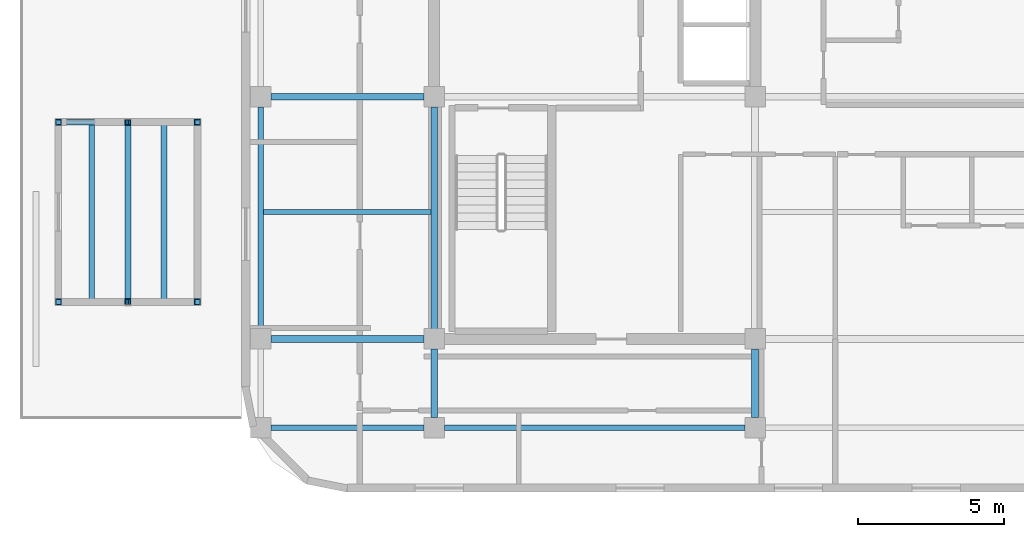
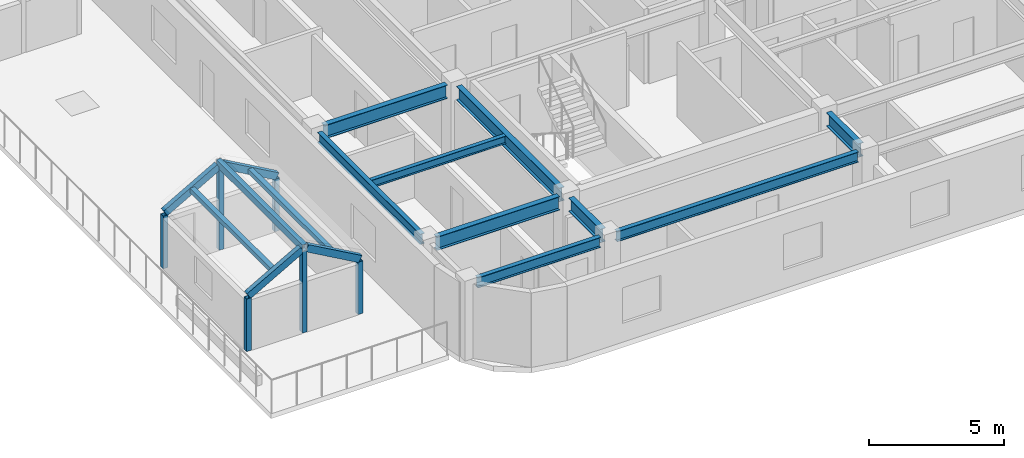
# One storey, part 2 of 16: 13 members, 9 beams.
"""IFC4 building model written with IfcOpenShell, lengths in metres."""

from ifc_helpers import new_model, si_unit, direction, frame, origin, origin_2d, place, context, subcontext, project, spatial, hollow_rectangle, i_section, extrude, material, material_profile, profile_set, type_object, element, save


model = new_model("IFC4")

# Units and contexts
model_context = context("Model", 3, precision=1e-05, world=origin(), true_north=direction((0.0, 1.0)))
body_context = subcontext(model_context, "Body", "Model", "MODEL_VIEW")
ifc_project = project(units=[si_unit("LENGTHUNIT", "METRE"), si_unit("AREAUNIT", "SQUARE_METRE"), si_unit("VOLUMEUNIT", "CUBIC_METRE"), si_unit("PLANEANGLEUNIT", "RADIAN"), si_unit("MASSUNIT", "GRAM", prefix="KILO")], contexts=[model_context])

# Site, building, storey
site_placement = place(None, origin())
site = spatial("IfcSite", under=ifc_project, at=site_placement, CompositionType="ELEMENT")
building_placement = place(site_placement, origin())
building = spatial("IfcBuilding", under=site, at=building_placement, Name="Ochreholt Gables", CompositionType="ELEMENT")
storey_placement = place(building_placement, frame((0.0, 0.0, 141.0)))
storey = spatial("IfcBuildingStorey", under=building, at=storey_placement, Name="L36", CompositionType="ELEMENT", Elevation=141.0)

# Beams
ifc_material = material(Name="Steel CSA G40.21 350W", Category="steel")
ifc_material_profile_1 = material_profile(ifc_material, i_section(OverallWidth=0.22900390625, OverallDepth=0.612060546875, WebThickness=0.011962890625, FlangeThickness=0.01953125, at=origin_2d()), Name="W610X125")
ifc_profile_set_1 = profile_set([ifc_material_profile_1], Name="Steel CSA G40.21 350W")
beam_type_1 = type_object("IfcBeamType", Name="BM-G-W610B", PredefinedType="BEAM", material=ifc_profile_set_1)
for number, where, z_axis, x_axis, name in (
    (1, (18.599609375, 9.25, 3.053955078125), (1.0, 0.0, 0.0), (0.0, 1.0, 0.0), "L36 Beam TBG-L36-W3C1-Y2"),
    (2, (18.599609375, 17.550048828125, 3.053955078125), (1.0, 0.0, 0.0), (0.0, 1.0, 0.0), "L36 Beam TBG-L36-W3C1-Y3"),
):
    element("IfcBeam", number, at=place(storey_placement, frame(where, z_axis=z_axis, x_axis=x_axis)), inside=storey, type_object=beam_type_1, Name=name, PredefinedType="BEAM", context=body_context, shape_type="SweptSolid", body=[
        extrude(i_section(OverallWidth=0.22900390625, OverallDepth=0.612060546875, WebThickness=0.011962890625, FlangeThickness=0.01953125, at=origin_2d()), origin(), (0.0, 0.0, 1.0), 5.250732421875),
    ])
beam_1_placement = place(storey_placement, frame((24.199951171875, 6.549560546875, 3.053955078125), z_axis=(0.0, 1.0, 0.0), x_axis=(-1.0, 0.0, 0.0)))
element("IfcBeam", 3, at=beam_1_placement, inside=storey, type_object=beam_type_1, Name="L36 Beam TBN-L36-C1-Y1Y2", PredefinedType="BEAM", context=body_context, shape_type="SweptSolid", body=[
    extrude(i_section(OverallWidth=0.22900390625, OverallDepth=0.612060546875, WebThickness=0.011962890625, FlangeThickness=0.01953125, at=origin_2d()), origin(), (0.0, 0.0, 1.0), 2.350830078125),
])
beam_2_placement = place(storey_placement, frame((24.199951171875, 9.599609375, 3.053955078125), z_axis=(0.0, 1.0, 0.0), x_axis=(-1.0, 0.0, 0.0)))
element("IfcBeam", 4, at=beam_2_placement, inside=storey, type_object=beam_type_1, Name="L36 Beam TBN-L36-C1-Y2Y3", PredefinedType="BEAM", context=body_context, shape_type="SweptSolid", body=[
    extrude(i_section(OverallWidth=0.22900390625, OverallDepth=0.612060546875, WebThickness=0.011962890625, FlangeThickness=0.01953125, at=origin_2d()), origin(), (0.0, 0.0, 1.0), 7.600830078125),
])
beam_3_placement = place(storey_placement, frame((35.199951171875, 6.549560546875, 3.053955078125), z_axis=(0.0, 1.0, 0.0), x_axis=(-1.0, 0.0, 0.0)))
element("IfcBeam", 5, at=beam_3_placement, inside=storey, type_object=beam_type_1, Name="L36 Beam TBN-L36-C2-Y1Y2", PredefinedType="BEAM", context=body_context, shape_type="SweptSolid", body=[
    extrude(i_section(OverallWidth=0.22900390625, OverallDepth=0.612060546875, WebThickness=0.011962890625, FlangeThickness=0.01953125, at=origin_2d()), origin(), (0.0, 0.0, 1.0), 2.350830078125),
])
ifc_material_profile_2 = material_profile(ifc_material, i_section(OverallWidth=0.172119140625, OverallDepth=0.35791015625, WebThickness=0.0078125, FlangeThickness=0.01318359375, at=origin_2d()), Name="W360X57")
ifc_profile_set_2 = profile_set([ifc_material_profile_2], Name="Steel CSA G40.21 350W")
beam_type_2 = type_object("IfcBeamType", Name="BM-J-W360B", PredefinedType="JOIST", material=ifc_profile_set_2)
beam_4_placement = place(storey_placement, frame((18.345703125, 13.60009765625, 3.180908203125), z_axis=(1.0, 0.0, 0.0), x_axis=(0.0, 1.0, 0.0)))
element("IfcBeam", 6, at=beam_4_placement, inside=storey, type_object=beam_type_2, Name="L36 Beam TBJ-L36-J1-W3C1", PredefinedType="JOIST", context=body_context, shape_type="SweptSolid", body=[
    extrude(i_section(OverallWidth=0.172119140625, OverallDepth=0.35791015625, WebThickness=0.0078125, FlangeThickness=0.01318359375, at=origin_2d()), origin(), (0.0, 0.0, 1.0), 5.740234375),
])
ifc_material_profile_3 = material_profile(ifc_material, i_section(OverallWidth=0.19189453125, OverallDepth=0.462890625, WebThickness=0.010498046875, FlangeThickness=0.017578125, at=origin_2d()), Name="W460X89")
ifc_profile_set_3 = profile_set([ifc_material_profile_3], Name="Steel CSA G40.21 350W")
beam_type_3 = type_object("IfcBeamType", Name="BM-SP-W460A", PredefinedType="SPANDREL", material=ifc_profile_set_3)
beam_5_placement = place(storey_placement, frame((18.599609375, 6.199951171875, 3.12841796875), z_axis=(1.0, 0.0, 0.0), x_axis=(0.0, 1.0, 0.0)))
element("IfcBeam", 7, at=beam_5_placement, inside=storey, type_object=beam_type_3, Name="L36 Beam TBG-L36-W3C1-Y1", PredefinedType="SPANDREL", context=body_context, shape_type="SweptSolid", body=[
    extrude(i_section(OverallWidth=0.19189453125, OverallDepth=0.462890625, WebThickness=0.010498046875, FlangeThickness=0.017578125, at=origin_2d()), origin(), (0.0, 0.0, 1.0), 5.250732421875),
])
beam_6_placement = place(storey_placement, frame((24.549560546875, 6.199951171875, 3.12841796875), z_axis=(1.0, 0.0, 0.0), x_axis=(0.0, 1.0, 0.0)))
element("IfcBeam", 8, at=beam_6_placement, inside=storey, type_object=beam_type_3, Name="L36 Beam TBG-L36-C1C2-Y1", PredefinedType="SPANDREL", context=body_context, shape_type="SweptSolid", body=[
    extrude(i_section(OverallWidth=0.19189453125, OverallDepth=0.462890625, WebThickness=0.010498046875, FlangeThickness=0.017578125, at=origin_2d()), origin(), (0.0, 0.0, 1.0), 10.30078125),
])
beam_7_placement = place(storey_placement, frame((18.25, 9.599609375, 3.12841796875), z_axis=(0.0, 1.0, 0.0), x_axis=(-1.0, 0.0, 0.0)))
element("IfcBeam", 9, at=beam_7_placement, inside=storey, type_object=beam_type_3, Name="L36 Beam TBN-L36-W3-Y2Y3", PredefinedType="SPANDREL", context=body_context, shape_type="SweptSolid", body=[
    extrude(i_section(OverallWidth=0.19189453125, OverallDepth=0.462890625, WebThickness=0.010498046875, FlangeThickness=0.017578125, at=origin_2d()), origin(), (0.0, 0.0, 1.0), 7.600830078125),
])

# Members
ifc_material_profile_4 = material_profile(ifc_material, hollow_rectangle(XDim=0.202880859375, YDim=0.202880859375, WallThickness=0.009521484375, at=origin_2d()), Name="HSS203X203X10")
ifc_profile_set_4 = profile_set([ifc_material_profile_4], Name="Steel CSA G40.21 350W")
member_type_1 = type_object("IfcMemberType", Name="MEM-GB-PR1", PredefinedType="PURLIN", material=ifc_profile_set_4)
for number, where, z_axis, x_axis, name in (
    (10, (12.45947265625, 10.596923828125, 3.141357421875), (0.0, 1.0, 0.0), (-1.0, 0.0, 0.0), "L36 Gable West Purlin GB-36W1"),
    (11, (14.9404296875, 10.596923828125, 3.141357421875), (0.0, 1.0, 0.0), (-1.0, 0.0, 0.0), "L36 Gable East Purlin GB-36W1"),
):
    element("IfcMember", number, at=place(storey_placement, frame(where, z_axis=z_axis, x_axis=x_axis)), inside=storey, type_object=member_type_1, Name=name, PredefinedType="PURLIN", context=body_context, shape_type="SweptSolid", body=[
        extrude(hollow_rectangle(XDim=0.202880859375, YDim=0.202880859375, WallThickness=0.009521484375, at=origin_2d()), origin(), (0.0, 0.0, 1.0), 6.006103515625),
    ])
ifc_material_profile_5 = material_profile(ifc_material, hollow_rectangle(XDim=0.202880859375, YDim=0.202880859375, WallThickness=0.009521484375, at=origin_2d()), Name="HSS203X203X10")
ifc_profile_set_5 = profile_set([ifc_material_profile_5], Name="Steel CSA G40.21 350W")
member_type_2 = type_object("IfcMemberType", Name="MEM-GB-PT2", PredefinedType="POST", material=ifc_profile_set_5)
for number, where, z_axis, x_axis, name in (
    (12, (11.320068359375, 10.52001953125, 0.0), (0.0, 0.0, 1.0), (1.0, 0.0, 0.0), "L36 Gable Pavilion Post GB-36W1-P1"),
    (13, (16.080078125, 10.52001953125, 0.0), (0.0, 0.0, 1.0), (1.0, 0.0, 0.0), "L36 Gable Pavilion Post GB-36W1-P2"),
    (14, (16.080078125, 16.679931640625, 0.0), (0.0, 0.0, 1.0), (1.0, 0.0, 0.0), "L36 Gable Pavilion Post GB-36W1-P3"),
    (15, (11.320068359375, 16.679931640625, 0.0), (0.0, 0.0, 1.0), (1.0, 0.0, 0.0), "L36 Gable Pavilion Post GB-36W1-P4"),
):
    element("IfcMember", number, at=place(storey_placement, frame(where, z_axis=z_axis, x_axis=x_axis)), inside=storey, type_object=member_type_2, Name=name, PredefinedType="POST", context=body_context, shape_type="SweptSolid", body=[
        extrude(hollow_rectangle(XDim=0.202880859375, YDim=0.202880859375, WallThickness=0.009521484375, at=origin_2d()), origin(), (0.0, 0.0, 1.0), 2.366455078125),
    ])
for number, where, z_axis, x_axis, name in (
    (16, (13.699951171875, 10.52001953125, 0.0), (0.0, 0.0, 1.0), (1.0, 0.0, 0.0), "L36 Gable Ridge Post GB-36W1-PRG1"),
    (17, (13.699951171875, 16.679931640625, 0.0), (0.0, 0.0, 1.0), (1.0, 0.0, 0.0), "L36 Gable Ridge Post GB-36W1-PRG2"),
):
    element("IfcMember", number, at=place(storey_placement, frame(where, z_axis=z_axis, x_axis=x_axis)), inside=storey, type_object=member_type_2, Name=name, PredefinedType="POST", context=body_context, shape_type="SweptSolid", body=[
        extrude(hollow_rectangle(XDim=0.202880859375, YDim=0.202880859375, WallThickness=0.009521484375, at=origin_2d()), origin(), (0.0, 0.0, 1.0), 3.68798828125),
    ])
ifc_material_profile_6 = material_profile(ifc_material, hollow_rectangle(XDim=0.202880859375, YDim=0.304931640625, WallThickness=0.0126953125, at=origin_2d()), Name="HSS305X203X13")
ifc_profile_set_6 = profile_set([ifc_material_profile_6], Name="Steel CSA G40.21 350W")
member_type_3 = type_object("IfcMemberType", Name="MEM-GB-RF1", PredefinedType="RAFTER", material=ifc_profile_set_6)
member_1_placement = place(storey_placement, frame((11.320068359375, 10.52001953125, 2.47265625), z_axis=(0.86979292934, 0.0, 0.493416923169), x_axis=(0.0, 1.0, 0.0)))
element("IfcMember", 18, at=member_1_placement, inside=storey, type_object=member_type_3, Name="L36 Gable West Rafter 1 GB-36W1", PredefinedType="RAFTER", context=body_context, shape_type="SweptSolid", body=[
    extrude(hollow_rectangle(XDim=0.202880859375, YDim=0.304931640625, WallThickness=0.0126953125, at=origin_2d()), origin(), (0.0, 0.0, 1.0), 2.619873046875),
])
member_2_placement = place(storey_placement, frame((16.080078125, 10.52001953125, 2.47265625), z_axis=(-0.869815613535, 0.0, 0.49337693344), x_axis=(0.0, -1.0, 0.0)))
element("IfcMember", 19, at=member_2_placement, inside=storey, type_object=member_type_3, Name="L36 Gable East Rafter 1 GB-36W1", PredefinedType="RAFTER", context=body_context, shape_type="SweptSolid", body=[
    extrude(hollow_rectangle(XDim=0.202880859375, YDim=0.304931640625, WallThickness=0.0126953125, at=origin_2d()), origin(), (0.0, 0.0, 1.0), 2.6201171875),
])
member_3_placement = place(storey_placement, frame((11.320068359375, 16.679931640625, 2.47265625), z_axis=(0.86979292934, 0.0, 0.493416923169), x_axis=(0.0, 1.0, 0.0)))
element("IfcMember", 20, at=member_3_placement, inside=storey, type_object=member_type_3, Name="L36 Gable West Rafter 2 GB-36W1", PredefinedType="RAFTER", context=body_context, shape_type="SweptSolid", body=[
    extrude(hollow_rectangle(XDim=0.202880859375, YDim=0.304931640625, WallThickness=0.0126953125, at=origin_2d()), origin(), (0.0, 0.0, 1.0), 2.619873046875),
])
member_4_placement = place(storey_placement, frame((16.080078125, 16.679931640625, 2.47265625), z_axis=(-0.869815613535, 0.0, 0.49337693344), x_axis=(0.0, -1.0, 0.0)))
element("IfcMember", 21, at=member_4_placement, inside=storey, type_object=member_type_3, Name="L36 Gable East Rafter 2 GB-36W1", PredefinedType="RAFTER", context=body_context, shape_type="SweptSolid", body=[
    extrude(hollow_rectangle(XDim=0.202880859375, YDim=0.304931640625, WallThickness=0.0126953125, at=origin_2d()), origin(), (0.0, 0.0, 1.0), 2.6201171875),
])
ifc_material_profile_7 = material_profile(ifc_material, hollow_rectangle(XDim=0.202880859375, YDim=0.304931640625, WallThickness=0.0126953125, at=origin_2d()), Name="HSS305X203X13")
ifc_profile_set_7 = profile_set([ifc_material_profile_7], Name="Steel CSA G40.21 350W")
member_type_4 = type_object("IfcMemberType", Name="MEM-GB-RF1E", PredefinedType="RAFTER", material=ifc_profile_set_7)
member_5_placement = place(storey_placement, frame((13.699951171875, 10.419921875, 3.822509765625), z_axis=(0.0, 1.0, 0.0), x_axis=(-1.0, 0.0, 0.0)))
element("IfcMember", 22, at=member_5_placement, inside=storey, type_object=member_type_4, Name="L36 Gable Ridge Member GB-36W1", PredefinedType="RAFTER", context=body_context, shape_type="SweptSolid", body=[
    extrude(hollow_rectangle(XDim=0.202880859375, YDim=0.304931640625, WallThickness=0.0126953125, at=origin_2d()), origin(), (0.0, 0.0, 1.0), 6.360107421875),
])

save(model, "model.ifc")
